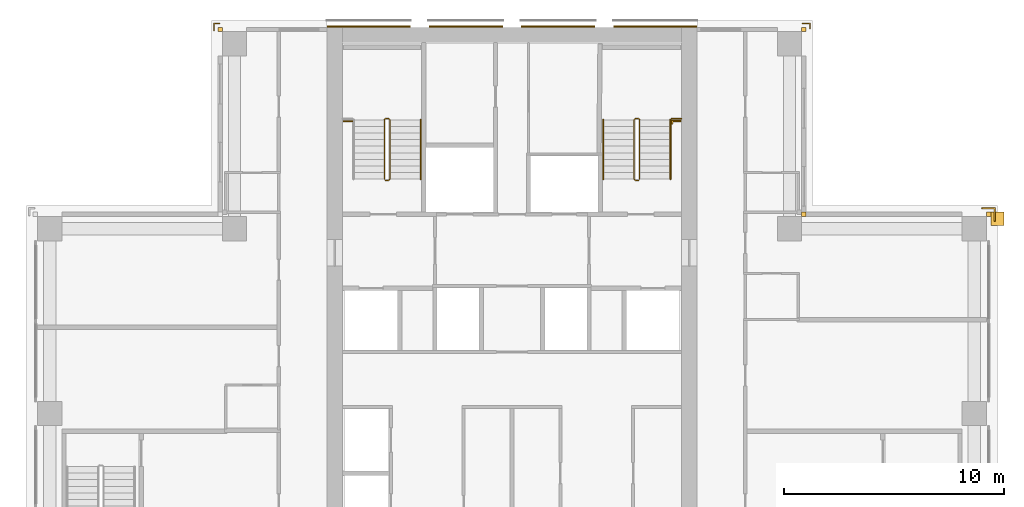
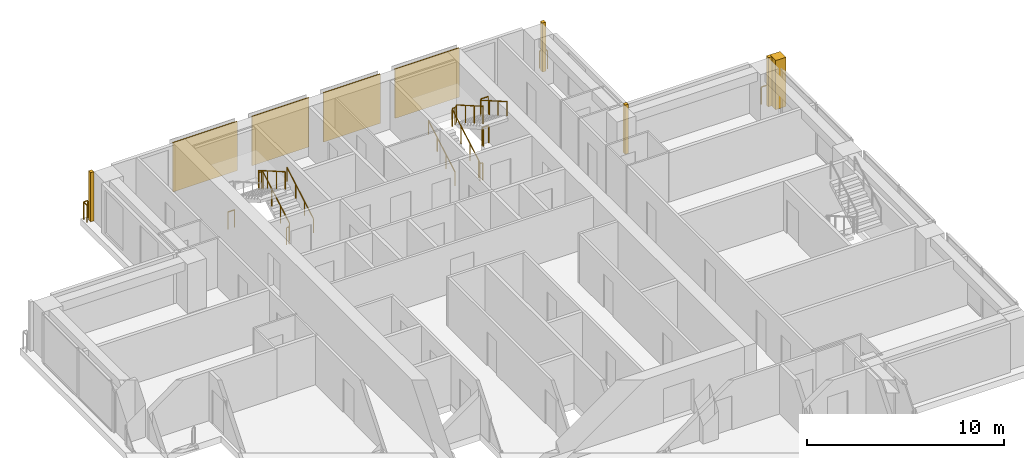
# One storey, part 16 of 16: 11 railings, 9 coverings.
"""IFC4 building model written with IfcOpenShell, lengths in metres."""

from ifc_helpers import new_model, si_unit, direction, frame, origin, origin_2d, place, context, subcontext, project, spatial, polyline, rectangle, outline, extrude, material, type_object, element, save


model = new_model("IFC4")

# Units and contexts
model_context = context("Model", 3, precision=1e-05, world=origin(), true_north=direction((0.0, 1.0)))
body_context = subcontext(model_context, "Body", "Model", "MODEL_VIEW")
ifc_project = project(units=[si_unit("LENGTHUNIT", "METRE"), si_unit("AREAUNIT", "SQUARE_METRE"), si_unit("VOLUMEUNIT", "CUBIC_METRE"), si_unit("PLANEANGLEUNIT", "RADIAN"), si_unit("MASSUNIT", "GRAM", prefix="KILO")], contexts=[model_context])

# Site, building, storey
site_placement = place(None, origin())
site = spatial("IfcSite", under=ifc_project, at=site_placement, CompositionType="ELEMENT")
building_placement = place(site_placement, origin())
building = spatial("IfcBuilding", under=site, at=building_placement, Name="Vermilion Ogive Tower", CompositionType="ELEMENT")
storey_placement = place(building_placement, frame((0.0, 0.0, 146.89990234375)))
storey = spatial("IfcBuildingStorey", under=building, at=storey_placement, Name="L37", CompositionType="ELEMENT", Elevation=146.89990234375)

# Railings
ifc_material_1 = material(Name="Stainless steel", Category="steel")
railing_type_1 = type_object("IfcRailingType", Name="Slab edge guard SG1", PredefinedType="GUARDRAIL", material=ifc_material_1)
railing_1_placement = place(storey_placement, frame((-13.530029296875, 21.60009765625, 0.0)))
element("IfcRailing", 1, at=railing_1_placement, inside=storey, type_object=railing_type_1, Name="L37 slab corner guard", PredefinedType="GUARDRAIL", context=body_context, shape_type="SweptSolid", body=[
    extrude(rectangle(XDim=0.050048828125, YDim=0.050048828125, at=origin_2d()), frame((0.0, 0.0, 1.0751953125), z_axis=(0.0, 1.0, 0.0), x_axis=(-1.0, 0.0, 0.0)), (0.0, 0.0, 1.0), 0.329833984375),
    extrude(rectangle(XDim=0.050048828125, YDim=0.050048828125, at=origin_2d()), frame((0.0, 0.329833984375, 1.0751953125), z_axis=(1.0, 0.0, 0.0), x_axis=(0.0, 1.0, 0.0)), (0.0, 0.0, 1.0), 0.22998046875),
    extrude(rectangle(XDim=0.050048828125, YDim=0.050048828125, at=origin_2d()), origin(), (0.0, 0.0, 1.0), 1.050048828125),
    extrude(rectangle(XDim=0.050048828125, YDim=0.050048828125, at=origin_2d()), frame((0.0, 0.329833984375, 0.0)), (0.0, 0.0, 1.0), 1.050048828125),
    extrude(rectangle(XDim=0.050048828125, YDim=0.050048828125, at=origin_2d()), frame((0.22998046875, 0.329833984375, 0.0)), (0.0, 0.0, 1.0), 1.050048828125),
])
railing_2_placement = place(storey_placement, frame((13.199951171875, 21.929931640625, 0.0)))
element("IfcRailing", 2, at=railing_2_placement, inside=storey, type_object=railing_type_1, Name="L37 slab corner guard", PredefinedType="GUARDRAIL", context=body_context, shape_type="SweptSolid", body=[
    extrude(rectangle(XDim=0.050048828125, YDim=0.050048828125, at=origin_2d()), frame((0.0, 0.0, 1.0751953125), z_axis=(1.0, 0.0, 0.0), x_axis=(0.0, 1.0, 0.0)), (0.0, 0.0, 1.0), 0.330078125),
    extrude(rectangle(XDim=0.050048828125, YDim=0.050048828125, at=origin_2d()), frame((0.330078125, 0.0, 1.0751953125), z_axis=(0.0, -1.0, 0.0), x_axis=(1.0, 0.0, 0.0)), (0.0, 0.0, 1.0), 0.22998046875),
    extrude(rectangle(XDim=0.050048828125, YDim=0.050048828125, at=origin_2d()), origin(), (0.0, 0.0, 1.0), 1.050048828125),
    extrude(rectangle(XDim=0.050048828125, YDim=0.050048828125, at=origin_2d()), frame((0.330078125, 0.0, 0.0)), (0.0, 0.0, 1.0), 1.050048828125),
    extrude(rectangle(XDim=0.050048828125, YDim=0.050048828125, at=origin_2d()), frame((0.330078125, -0.22998046875, 0.0)), (0.0, 0.0, 1.0), 1.050048828125),
])
railing_3_placement = place(storey_placement, frame((21.929931640625, 12.949951171875, 0.0)))
element("IfcRailing", 3, at=railing_3_placement, inside=storey, type_object=railing_type_1, Name="L37 slab corner guard", PredefinedType="GUARDRAIL", context=body_context, shape_type="SweptSolid", body=[
    extrude(rectangle(XDim=0.050048828125, YDim=0.050048828125, at=origin_2d()), frame((0.0, 0.0, 1.0751953125), z_axis=(0.0, 1.0, 0.0), x_axis=(-1.0, 0.0, 0.0)), (0.0, 0.0, 1.0), 0.580078125),
    extrude(rectangle(XDim=0.050048828125, YDim=0.050048828125, at=origin_2d()), frame((0.0, 0.580078125, 1.0751953125), z_axis=(-1.0, 0.0, 0.0), x_axis=(0.0, -1.0, 0.0)), (0.0, 0.0, 1.0), 0.579833984375),
    extrude(rectangle(XDim=0.050048828125, YDim=0.050048828125, at=origin_2d()), origin(), (0.0, 0.0, 1.0), 1.050048828125),
    extrude(rectangle(XDim=0.050048828125, YDim=0.050048828125, at=origin_2d()), frame((0.0, 0.580078125, 0.0)), (0.0, 0.0, 1.0), 1.050048828125),
    extrude(rectangle(XDim=0.050048828125, YDim=0.050048828125, at=origin_2d()), frame((-0.579833984375, 0.580078125, 0.0)), (0.0, 0.0, 1.0), 1.050048828125),
])
ifc_material_2 = material(Name="Steel S355 painted", Category="steel")
railing_type_2 = type_object("IfcRailingType", Name="Stair guard 1100", PredefinedType="GUARDRAIL", material=ifc_material_2)
railing_4_placement = place(storey_placement, frame((-5.75, 14.800048828125, 0.0)))
element("IfcRailing", 4, at=railing_4_placement, inside=storey, type_object=railing_type_2, Name="L37 ST1 stair guard 4", PredefinedType="GUARDRAIL", context=body_context, shape_type="SweptSolid", body=[
    extrude(rectangle(XDim=0.048095703125, YDim=0.048095703125, at=origin_2d()), frame((0.0, 0.0, 1.076171875), z_axis=(1.0, 0.0, 0.0), x_axis=(0.0, 1.0, 0.0)), (0.0, 0.0, 1.0), 0.14990234375),
    extrude(rectangle(XDim=0.048095703125, YDim=0.048095703125, at=origin_2d()), frame((0.14990234375, 0.0, 1.076171875), z_axis=(0.268277960024, 0.268277960024, 0.925231793839), x_axis=(-0.707106781187, 0.707106781187, 0.0)), (0.0, 0.0, 1.0), 0.1865234375),
    extrude(rectangle(XDim=0.048095703125, YDim=0.048095703125, at=origin_2d()), frame((0.199951171875, 0.050048828125, 1.24853515625), z_axis=(0.0, 0.866903762492, 0.498475542607), x_axis=(-1.0, 0.0, 0.0)), (0.0, 0.0, 1.0), 3.114501953125),
    extrude(rectangle(XDim=0.048095703125, YDim=0.048095703125, at=origin_2d()), frame((0.199951171875, 2.75, 2.80126953125), z_axis=(-0.707106781187, 0.707106781187, 0.0), x_axis=(-0.707106781187, -0.707106781187, 0.0)), (0.0, 0.0, 1.0), 0.07080078125),
    extrude(rectangle(XDim=0.048095703125, YDim=0.048095703125, at=origin_2d()), frame((0.14990234375, 2.800048828125, 2.80126953125), z_axis=(-1.0, 0.0, 0.0), x_axis=(0.0, -1.0, 0.0)), (0.0, 0.0, 1.0), 0.14990234375),
    extrude(rectangle(XDim=0.048095703125, YDim=0.048095703125, at=origin_2d()), frame((0.0, 2.800048828125, 2.80126953125), z_axis=(-0.268277960024, -0.268277960024, 0.925231793839), x_axis=(0.707106781187, -0.707106781187, 0.0)), (0.0, 0.0, 1.0), 0.1865234375),
    extrude(rectangle(XDim=0.048095703125, YDim=0.048095703125, at=origin_2d()), frame((-0.050048828125, 2.75, 2.9736328125), z_axis=(0.0, -0.866903762492, 0.498475542607), x_axis=(1.0, 0.0, 0.0)), (0.0, 0.0, 1.0), 3.114501953125),
    extrude(rectangle(XDim=0.0419921875, YDim=0.0419921875, at=origin_2d()), origin(), (0.0, 0.0, 1.0), 1.052001953125),
    extrude(rectangle(XDim=0.0419921875, YDim=0.0419921875, at=origin_2d()), frame((0.14990234375, 0.0, 0.0)), (0.0, 0.0, 1.0), 1.052001953125),
    extrude(rectangle(XDim=0.0419921875, YDim=0.0419921875, at=origin_2d()), frame((0.199951171875, 0.050048828125, 0.172607421875)), (0.0, 0.0, 1.0), 1.052001953125),
    extrude(rectangle(XDim=0.0419921875, YDim=0.0419921875, at=origin_2d()), frame((0.199951171875, 0.949951171875, 0.690185546875)), (0.0, 0.0, 1.0), 1.052001953125),
    extrude(rectangle(XDim=0.0419921875, YDim=0.0419921875, at=origin_2d()), frame((0.199951171875, 1.85009765625, 1.20751953125)), (0.0, 0.0, 1.0), 1.052001953125),
    extrude(rectangle(XDim=0.0419921875, YDim=0.0419921875, at=origin_2d()), frame((0.199951171875, 2.75, 1.72509765625)), (0.0, 0.0, 1.0), 1.052001953125),
    extrude(rectangle(XDim=0.0419921875, YDim=0.0419921875, at=origin_2d()), frame((0.14990234375, 2.800048828125, 1.72509765625)), (0.0, 0.0, 1.0), 1.052001953125),
    extrude(rectangle(XDim=0.0419921875, YDim=0.0419921875, at=origin_2d()), frame((0.0, 2.800048828125, 1.72509765625)), (0.0, 0.0, 1.0), 1.052001953125),
    extrude(rectangle(XDim=0.0419921875, YDim=0.0419921875, at=origin_2d()), frame((-0.050048828125, 2.75, 1.897705078125)), (0.0, 0.0, 1.0), 1.052001953125),
    extrude(rectangle(XDim=0.0419921875, YDim=0.0419921875, at=origin_2d()), frame((-0.050048828125, 1.85009765625, 2.415283203125)), (0.0, 0.0, 1.0), 1.052001953125),
    extrude(rectangle(XDim=0.0419921875, YDim=0.0419921875, at=origin_2d()), frame((-0.050048828125, 0.949951171875, 2.9326171875)), (0.0, 0.0, 1.0), 1.052001953125),
    extrude(rectangle(XDim=0.0419921875, YDim=0.0419921875, at=origin_2d()), frame((-0.050048828125, 0.050048828125, 3.4501953125)), (0.0, 0.0, 1.0), 1.052001953125),
])
railing_5_placement = place(storey_placement, frame((5.75, 14.800048828125, 0.0)))
element("IfcRailing", 5, at=railing_5_placement, inside=storey, type_object=railing_type_2, Name="L37 ST2 stair guard 4", PredefinedType="GUARDRAIL", context=body_context, shape_type="SweptSolid", body=[
    extrude(rectangle(XDim=0.048095703125, YDim=0.048095703125, at=origin_2d()), frame((0.0, 0.0, 1.076171875), z_axis=(-1.0, 0.0, 0.0), x_axis=(0.0, -1.0, 0.0)), (0.0, 0.0, 1.0), 0.14990234375),
    extrude(rectangle(XDim=0.048095703125, YDim=0.048095703125, at=origin_2d()), frame((-0.14990234375, 0.0, 1.076171875), z_axis=(-0.268277960024, 0.268277960024, 0.925231793839), x_axis=(-0.707106781187, -0.707106781187, 0.0)), (0.0, 0.0, 1.0), 0.1865234375),
    extrude(rectangle(XDim=0.048095703125, YDim=0.048095703125, at=origin_2d()), frame((-0.199951171875, 0.050048828125, 1.24853515625), z_axis=(0.0, 0.866903762492, 0.498475542607), x_axis=(-1.0, 0.0, 0.0)), (0.0, 0.0, 1.0), 3.114501953125),
    extrude(rectangle(XDim=0.048095703125, YDim=0.048095703125, at=origin_2d()), frame((-0.199951171875, 2.75, 2.80126953125), z_axis=(0.707106781187, 0.707106781187, 0.0), x_axis=(-0.707106781187, 0.707106781187, 0.0)), (0.0, 0.0, 1.0), 0.07080078125),
    extrude(rectangle(XDim=0.048095703125, YDim=0.048095703125, at=origin_2d()), frame((-0.14990234375, 2.800048828125, 2.80126953125), z_axis=(1.0, 0.0, 0.0), x_axis=(0.0, 1.0, 0.0)), (0.0, 0.0, 1.0), 0.14990234375),
    extrude(rectangle(XDim=0.048095703125, YDim=0.048095703125, at=origin_2d()), frame((0.0, 2.800048828125, 2.80126953125), z_axis=(0.268277960024, -0.268277960024, 0.925231793839), x_axis=(0.707106781187, 0.707106781187, 0.0)), (0.0, 0.0, 1.0), 0.1865234375),
    extrude(rectangle(XDim=0.048095703125, YDim=0.048095703125, at=origin_2d()), frame((0.050048828125, 2.75, 2.9736328125), z_axis=(0.0, -0.866903762492, 0.498475542607), x_axis=(1.0, 0.0, 0.0)), (0.0, 0.0, 1.0), 3.114501953125),
    extrude(rectangle(XDim=0.0419921875, YDim=0.0419921875, at=origin_2d()), origin(), (0.0, 0.0, 1.0), 1.052001953125),
    extrude(rectangle(XDim=0.0419921875, YDim=0.0419921875, at=origin_2d()), frame((-0.14990234375, 0.0, 0.0)), (0.0, 0.0, 1.0), 1.052001953125),
    extrude(rectangle(XDim=0.0419921875, YDim=0.0419921875, at=origin_2d()), frame((-0.199951171875, 0.050048828125, 0.172607421875)), (0.0, 0.0, 1.0), 1.052001953125),
    extrude(rectangle(XDim=0.0419921875, YDim=0.0419921875, at=origin_2d()), frame((-0.199951171875, 0.949951171875, 0.690185546875)), (0.0, 0.0, 1.0), 1.052001953125),
    extrude(rectangle(XDim=0.0419921875, YDim=0.0419921875, at=origin_2d()), frame((-0.199951171875, 1.85009765625, 1.20751953125)), (0.0, 0.0, 1.0), 1.052001953125),
    extrude(rectangle(XDim=0.0419921875, YDim=0.0419921875, at=origin_2d()), frame((-0.199951171875, 2.75, 1.72509765625)), (0.0, 0.0, 1.0), 1.052001953125),
    extrude(rectangle(XDim=0.0419921875, YDim=0.0419921875, at=origin_2d()), frame((-0.14990234375, 2.800048828125, 1.72509765625)), (0.0, 0.0, 1.0), 1.052001953125),
    extrude(rectangle(XDim=0.0419921875, YDim=0.0419921875, at=origin_2d()), frame((0.0, 2.800048828125, 1.72509765625)), (0.0, 0.0, 1.0), 1.052001953125),
    extrude(rectangle(XDim=0.0419921875, YDim=0.0419921875, at=origin_2d()), frame((0.050048828125, 2.75, 1.897705078125)), (0.0, 0.0, 1.0), 1.052001953125),
    extrude(rectangle(XDim=0.0419921875, YDim=0.0419921875, at=origin_2d()), frame((0.050048828125, 1.85009765625, 2.415283203125)), (0.0, 0.0, 1.0), 1.052001953125),
    extrude(rectangle(XDim=0.0419921875, YDim=0.0419921875, at=origin_2d()), frame((0.050048828125, 0.949951171875, 2.9326171875)), (0.0, 0.0, 1.0), 1.052001953125),
    extrude(rectangle(XDim=0.0419921875, YDim=0.0419921875, at=origin_2d()), frame((0.050048828125, 0.050048828125, 3.4501953125)), (0.0, 0.0, 1.0), 1.052001953125),
])
railing_6_placement = place(storey_placement, frame((7.25, 17.60009765625, 1.72509765625)))
element("IfcRailing", 6, at=railing_6_placement, inside=storey, type_object=railing_type_2, Name="L37 landing guard", PredefinedType="GUARDRAIL", context=body_context, shape_type="SweptSolid", body=[
    extrude(rectangle(XDim=0.048095703125, YDim=0.048095703125, at=origin_2d()), frame((0.0, 0.0, 1.076171875), z_axis=(1.0, 0.0, 0.0), x_axis=(0.0, 1.0, 0.0)), (0.0, 0.0, 1.0), 0.449951171875),
    extrude(rectangle(XDim=0.0419921875, YDim=0.0419921875, at=origin_2d()), origin(), (0.0, 0.0, 1.0), 1.052001953125),
    extrude(rectangle(XDim=0.0419921875, YDim=0.0419921875, at=origin_2d()), frame((0.449951171875, 0.0, 0.0)), (0.0, 0.0, 1.0), 1.052001953125),
])
railing_7_placement = place(storey_placement, frame((-7.639892578125, 17.489990234375, 0.0)))
element("IfcRailing", 7, at=railing_7_placement, inside=storey, type_object=railing_type_2, Name="L37 stair opening guard", PredefinedType="GUARDRAIL", context=body_context, shape_type="SweptSolid", body=[
    extrude(rectangle(XDim=0.048095703125, YDim=0.048095703125, at=origin_2d()), frame((0.0, 0.0, 1.076171875), z_axis=(1.0, 0.0, 0.0), x_axis=(0.0, 1.0, 0.0)), (0.0, 0.0, 1.0), 0.389892578125),
    extrude(rectangle(XDim=0.0419921875, YDim=0.0419921875, at=origin_2d()), origin(), (0.0, 0.0, 1.0), 1.052001953125),
    extrude(rectangle(XDim=0.0419921875, YDim=0.0419921875, at=origin_2d()), frame((0.389892578125, 0.0, 0.0)), (0.0, 0.0, 1.0), 1.052001953125),
])
railing_8_placement = place(storey_placement, frame((7.267578125, 17.372802734375, 0.0)))
element("IfcRailing", 8, at=railing_8_placement, inside=storey, type_object=railing_type_2, Name="L37 stair opening guard", PredefinedType="GUARDRAIL", context=body_context, shape_type="SweptSolid", body=[
    extrude(rectangle(XDim=0.048095703125, YDim=0.048095703125, at=origin_2d()), frame((0.0, 0.0, 1.076171875), z_axis=(0.0, 1.0, 0.0), x_axis=(-1.0, 0.0, 0.0)), (0.0, 0.0, 1.0), 0.119873046875),
    extrude(rectangle(XDim=0.048095703125, YDim=0.048095703125, at=origin_2d()), frame((0.0, 0.119873046875, 1.076171875), z_axis=(1.0, 0.0, 0.0), x_axis=(0.0, 1.0, 0.0)), (0.0, 0.0, 1.0), 0.39013671875),
    extrude(rectangle(XDim=0.0419921875, YDim=0.0419921875, at=origin_2d()), origin(), (0.0, 0.0, 1.0), 1.052001953125),
    extrude(rectangle(XDim=0.0419921875, YDim=0.0419921875, at=origin_2d()), frame((0.0, 0.119873046875, 0.0)), (0.0, 0.0, 1.0), 1.052001953125),
    extrude(rectangle(XDim=0.0419921875, YDim=0.0419921875, at=origin_2d()), frame((0.39013671875, 0.119873046875, 0.0)), (0.0, 0.0, 1.0), 1.052001953125),
])
ifc_material_3 = material(Name="Stainless steel", Category="steel")
railing_type_3 = type_object("IfcRailingType", Name="Stair handrail 900", PredefinedType="HANDRAIL", material=ifc_material_3)
for number, where, name in (
    (9, (-4.14990234375, 14.85009765625, 0.172607421875), "L37 ST1 stair handrail 1"),
    (10, (4.14990234375, 14.85009765625, 0.172607421875), "L37 ST2 stair handrail 1"),
):
    element("IfcRailing", number, at=place(storey_placement, frame(where)), inside=storey, type_object=railing_type_3, Name=name, PredefinedType="HANDRAIL", context=body_context, shape_type="SweptSolid", body=[
        extrude(rectangle(XDim=0.048095703125, YDim=0.048095703125, at=origin_2d()), frame((0.0, 0.0, 0.8759765625), z_axis=(0.0, 0.866903762492, 0.498475542607), x_axis=(-1.0, 0.0, 0.0)), (0.0, 0.0, 1.0), 3.114501953125),
        extrude(rectangle(XDim=0.0419921875, YDim=0.0419921875, at=origin_2d()), origin(), (0.0, 0.0, 1.0), 0.851806640625),
        extrude(rectangle(XDim=0.0419921875, YDim=0.0419921875, at=origin_2d()), frame((0.0, 0.89990234375, 0.517578125)), (0.0, 0.0, 1.0), 0.851806640625),
        extrude(rectangle(XDim=0.0419921875, YDim=0.0419921875, at=origin_2d()), frame((0.0, 1.800048828125, 1.034912109375)), (0.0, 0.0, 1.0), 0.851806640625),
        extrude(rectangle(XDim=0.0419921875, YDim=0.0419921875, at=origin_2d()), frame((0.0, 2.699951171875, 1.552490234375)), (0.0, 0.0, 1.0), 0.851806640625),
    ])
railing_9_placement = place(storey_placement, frame((7.199951171875, 17.550048828125, 1.897705078125)))
element("IfcRailing", 11, at=railing_9_placement, inside=storey, type_object=railing_type_3, Name="L37 ST2 stair handrail 2", PredefinedType="HANDRAIL", context=body_context, shape_type="SweptSolid", body=[
    extrude(rectangle(XDim=0.048095703125, YDim=0.048095703125, at=origin_2d()), frame((0.0, 0.0, 0.8759765625), z_axis=(0.0, -0.866903762492, 0.498475542607), x_axis=(1.0, 0.0, 0.0)), (0.0, 0.0, 1.0), 3.114501953125),
    extrude(rectangle(XDim=0.0419921875, YDim=0.0419921875, at=origin_2d()), origin(), (0.0, 0.0, 1.0), 0.851806640625),
    extrude(rectangle(XDim=0.0419921875, YDim=0.0419921875, at=origin_2d()), frame((0.0, -0.89990234375, 0.517578125)), (0.0, 0.0, 1.0), 0.851806640625),
    extrude(rectangle(XDim=0.0419921875, YDim=0.0419921875, at=origin_2d()), frame((0.0, -1.800048828125, 1.034912109375)), (0.0, 0.0, 1.0), 0.851806640625),
    extrude(rectangle(XDim=0.0419921875, YDim=0.0419921875, at=origin_2d()), frame((0.0, -2.699951171875, 1.552490234375)), (0.0, 0.0, 1.0), 0.851806640625),
])

# Coverings
ifc_material_4 = material(Name="Stone cladding", Category="masonry")
covering_type_1 = type_object("IfcCoveringType", Name="Stone cladding panel", PredefinedType="CLADDING", material=ifc_material_4)
covering_1_placement = place(storey_placement, origin())
element("IfcCovering", 12, at=covering_1_placement, inside=storey, type_object=covering_type_1, Name="Stone cladding panel N1", PredefinedType="CLADDING", context=body_context, shape_type="SweptSolid", body=[
    extrude(outline(polyline([(-8.389892578125, 21.75), (-4.6298828125, 21.75), (-4.6298828125, 21.81005859375), (-8.389892578125, 21.81005859375), (-8.389892578125, 21.75)])), origin(), (0.0, 0.0, 1.0), 3.050048828125),
])
covering_2_placement = place(storey_placement, origin())
element("IfcCovering", 13, at=covering_2_placement, inside=storey, type_object=covering_type_1, Name="Stone cladding panel N2", PredefinedType="CLADDING", context=body_context, shape_type="SweptSolid", body=[
    extrude(outline(polyline([(-3.77001953125, 21.75), (-0.429931640625, 21.75), (-0.429931640625, 21.81005859375), (-3.77001953125, 21.81005859375), (-3.77001953125, 21.75)])), origin(), (0.0, 0.0, 1.0), 3.050048828125),
])
covering_3_placement = place(storey_placement, origin())
element("IfcCovering", 14, at=covering_3_placement, inside=storey, type_object=covering_type_1, Name="Stone cladding panel N3", PredefinedType="CLADDING", context=body_context, shape_type="SweptSolid", body=[
    extrude(outline(polyline([(0.429931640625, 21.75), (3.77001953125, 21.75), (3.77001953125, 21.81005859375), (0.429931640625, 21.81005859375), (0.429931640625, 21.75)])), origin(), (0.0, 0.0, 1.0), 3.050048828125),
])
covering_4_placement = place(storey_placement, origin())
element("IfcCovering", 15, at=covering_4_placement, inside=storey, type_object=covering_type_1, Name="Stone cladding panel N4", PredefinedType="CLADDING", context=body_context, shape_type="SweptSolid", body=[
    extrude(outline(polyline([(4.6298828125, 21.75), (8.389892578125, 21.75), (8.389892578125, 21.81005859375), (4.6298828125, 21.81005859375), (4.6298828125, 21.75)])), origin(), (0.0, 0.0, 1.0), 3.050048828125),
])
ifc_material_5 = material(Name="Stone cladding", Category="masonry")
covering_type_2 = type_object("IfcCoveringType", Name="Stone corner buttress", PredefinedType="CLADDING", material=ifc_material_5)
covering_5_placement = place(storey_placement, origin())
element("IfcCovering", 16, at=covering_5_placement, inside=storey, type_object=covering_type_2, Name="Stone crease pier EK", PredefinedType="CLADDING", context=body_context, shape_type="SweptSolid", body=[
    extrude(outline(polyline([(22.35009765625, 12.75), (22.35009765625, 13.35009765625), (21.75, 13.35009765625), (21.75, 12.75), (22.35009765625, 12.75)])), origin(), (0.0, 0.0, 1.0), 3.050048828125),
])
ifc_material_6 = material(Name="Stone cladding", Category="masonry")
covering_type_3 = type_object("IfcCoveringType", Name="Stone pier", PredefinedType="CLADDING", material=ifc_material_6)
covering_6_placement = place(storey_placement, origin())
element("IfcCovering", 17, at=covering_6_placement, inside=storey, type_object=covering_type_3, Name="Stone corner pier EE1", PredefinedType="CLADDING", context=body_context, shape_type="SweptSolid", body=[
    extrude(outline(polyline([(21.75, 13.14990234375), (21.550048828125, 13.14990234375), (21.550048828125, 13.35009765625), (21.75, 13.35009765625), (21.75, 13.14990234375)])), origin(), (0.0, 0.0, 1.0), 3.050048828125),
])
covering_7_placement = place(storey_placement, origin())
element("IfcCovering", 18, at=covering_7_placement, inside=storey, type_object=covering_type_3, Name="Stone corner pier X3E1", PredefinedType="CLADDING", context=body_context, shape_type="SweptSolid", body=[
    extrude(outline(polyline([(13.14990234375, 13.14990234375), (13.14990234375, 13.35009765625), (13.35009765625, 13.35009765625), (13.35009765625, 13.14990234375), (13.14990234375, 13.14990234375)])), origin(), (0.0, 0.0, 1.0), 3.050048828125),
])
covering_8_placement = place(storey_placement, origin())
element("IfcCovering", 19, at=covering_8_placement, inside=storey, type_object=covering_type_3, Name="Stone corner pier X4E1", PredefinedType="CLADDING", context=body_context, shape_type="SweptSolid", body=[
    extrude(outline(polyline([(13.35009765625, 21.550048828125), (13.14990234375, 21.550048828125), (13.14990234375, 21.75), (13.35009765625, 21.75), (13.35009765625, 21.550048828125)])), origin(), (0.0, 0.0, 1.0), 3.050048828125),
])
covering_9_placement = place(storey_placement, origin())
element("IfcCovering", 20, at=covering_9_placement, inside=storey, type_object=covering_type_3, Name="Stone corner pier N2E1", PredefinedType="CLADDING", context=body_context, shape_type="SweptSolid", body=[
    extrude(outline(polyline([(-13.14990234375, 21.75), (-13.14990234375, 21.550048828125), (-13.35009765625, 21.550048828125), (-13.35009765625, 21.75), (-13.14990234375, 21.75)])), origin(), (0.0, 0.0, 1.0), 3.050048828125),
])

save(model, "model.ifc")
